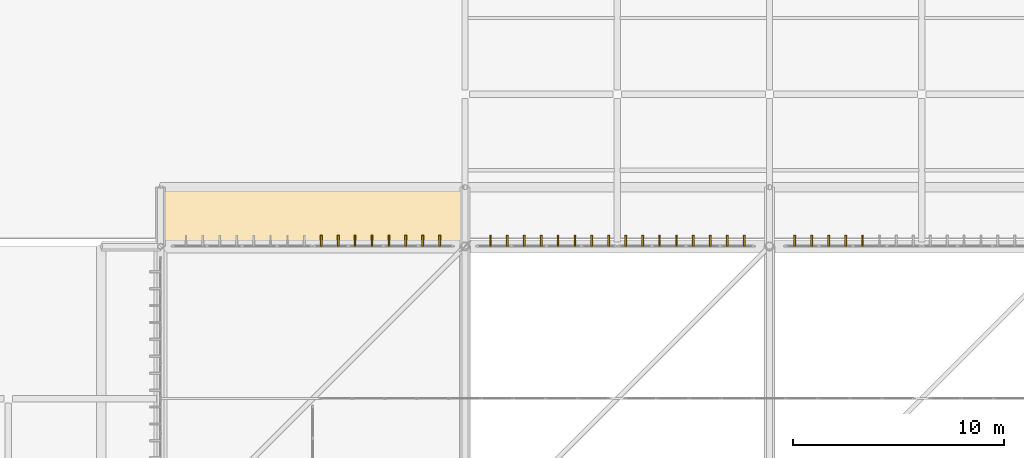
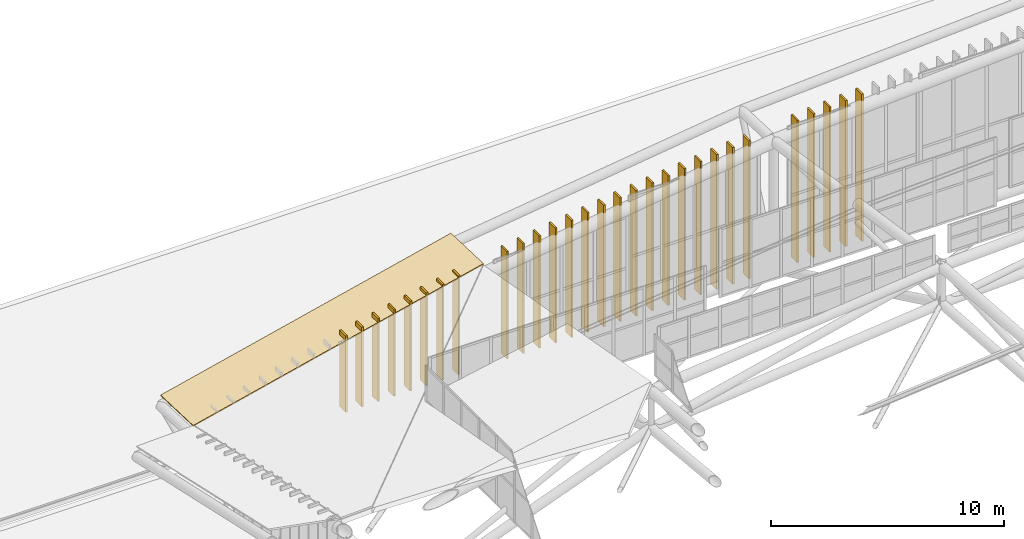
# One storey, part 393 of 397: 30 coverings.
"""IFC4 building model written with IfcOpenShell, lengths in metres."""

import ifcopenshell
import ifcopenshell.guid

model = None  # the IFC model being written
_history = None  # IfcOwnerHistory: only IFC2X3 demands one
_inside = {}  # id of a spatial element -> (the spatial element, [elements in it])
_under = {}  # id of a project, library or spatial element -> (it, [spatial elements below it])
_declared = {}  # id of a project -> (the project, [libraries it declares])
_typed = {}  # id of a type object -> (the type object, [elements of that type])
_made_of = {}  # id of a material, layer set ... -> (it, [elements and type objects made of it])


def new_model(schema):
    """Start an empty IFC model of exactly this schema.

    Asked for "IFC4X3", IfcOpenShell would pick the latest addendum, in which some entities
    have other attributes; the version numbers below select the first issue.
    IFC2X3 requires an IfcOwnerHistory on every rooted entity: one is made here for all.
    """
    global model, _history
    if schema == "IFC4X3":
        model = ifcopenshell.file(schema_version=(4, 3, 0, 0))
    else:
        model = ifcopenshell.file(schema=schema)
    _inside.clear()
    _under.clear()
    _declared.clear()
    _typed.clear()
    _made_of.clear()
    _history = None
    if model.schema == "IFC2X3":
        org = make("IfcOrganization", Name="unknown")
        user = make(
            "IfcPersonAndOrganization",
            ThePerson=make("IfcPerson", FamilyName="unknown"),
            TheOrganization=org,
        )
        app = make(
            "IfcApplication",
            ApplicationDeveloper=org,
            Version="unknown",
            ApplicationFullName="unknown",
            ApplicationIdentifier="unknown",
        )
        _history = make(
            "IfcOwnerHistory",
            OwningUser=user,
            OwningApplication=app,
            ChangeAction="ADDED",
            CreationDate=0,
        )
    return model


def make(cls, **values):
    """One entity of the class cls with the attributes given. An attribute that is None is left unset."""
    return model.create_entity(
        cls, **{name: value for name, value in values.items() if value is not None}
    )


def rooted(cls, **values):
    """An entity with a GlobalId (a new one), such as an element, a storey or a relation."""
    return make(cls, GlobalId=ifcopenshell.guid.new(), OwnerHistory=_history, **values)


def si_unit(unit_type, name, prefix=None):
    """IfcSIUnit, for example si_unit("LENGTHUNIT", "METRE", prefix="MILLI")."""
    return make("IfcSIUnit", UnitType=unit_type, Prefix=prefix, Name=name)


def assignment(units):
    """IfcUnitAssignment: the units of a project."""
    return None if units is None else make("IfcUnitAssignment", Units=units)


def point(xyz):
    """IfcCartesianPoint."""
    return None if xyz is None else make("IfcCartesianPoint", Coordinates=xyz)


def direction(xyz):
    """IfcDirection."""
    return None if xyz is None else make("IfcDirection", DirectionRatios=xyz)


def frame(location, z_axis=None, x_axis=None):
    """IfcAxis2Placement3D, a coordinate frame: its origin and axes. An axis left out is left unset."""
    return make(
        "IfcAxis2Placement3D",
        Location=point(location),
        Axis=direction(z_axis),
        RefDirection=direction(x_axis),
    )


def frame_2d(location, x_axis=None):
    """IfcAxis2Placement2D, a coordinate frame in the plane: its origin and x axis."""
    return make(
        "IfcAxis2Placement2D", Location=point(location), RefDirection=direction(x_axis)
    )


def origin():
    """The frame at (0, 0, 0) with its axes left unset."""
    return frame((0.0, 0.0, 0.0))


def origin_2d():
    """The frame at (0, 0) in the plane with its x axis left unset."""
    return frame_2d((0.0, 0.0))


def place(relative_to, where):
    """IfcLocalPlacement: puts the frame where relative to a parent placement (None: the world)."""
    return make(
        "IfcLocalPlacement", PlacementRelTo=relative_to, RelativePlacement=where
    )


def context(
    kind, dimensions, precision=None, world=None, true_north=None, identifier=None
):
    """IfcGeometricRepresentationContext, for example the 3D "Model" context."""
    return make(
        "IfcGeometricRepresentationContext",
        ContextIdentifier=identifier,
        ContextType=kind,
        CoordinateSpaceDimension=dimensions,
        Precision=precision,
        WorldCoordinateSystem=world,
        TrueNorth=true_north,
    )


def subcontext(parent, identifier, kind, view, scale=None):
    """IfcGeometricRepresentationSubContext, for example "Body" below "Model"."""
    return make(
        "IfcGeometricRepresentationSubContext",
        ContextIdentifier=identifier,
        ContextType=kind,
        ParentContext=parent,
        TargetScale=scale,
        TargetView=view,
    )


def project(units=None, contexts=None):
    """IfcProject with its units and contexts."""
    return rooted(
        "IfcProject",
        Name="project",
        RepresentationContexts=contexts,
        UnitsInContext=assignment(units),
    )


def spatial(cls, under=None, at=None, **own):
    """A site, building, storey or space (cls), placed at a placement, below another one or the project."""
    s = rooted(cls, ObjectPlacement=at, **own)
    if under is not None:
        _under.setdefault(under.id(), (under, []))[1].append(s)
    return s


def polyline(points):
    """IfcPolyline through the points."""
    return make("IfcPolyline", Points=[point(p) for p in points])


def profile(cls, at=None, kind="AREA", **sizes):
    """A parametric profile (cls). Its sizes go by their IFC names, for example OverallWidth=200.0."""
    return make(cls, ProfileType=kind, Position=at, **sizes)


def rectangle(**sizes):
    """IfcRectangleProfileDef."""
    return profile("IfcRectangleProfileDef", **sizes)


def outline(outer, holes=None, kind="AREA"):
    """IfcArbitraryClosedProfileDef: a profile drawn as a closed curve; with holes, ...WithVoids."""
    if holes is None:
        return make("IfcArbitraryClosedProfileDef", ProfileType=kind, OuterCurve=outer)
    return make(
        "IfcArbitraryProfileDefWithVoids",
        ProfileType=kind,
        OuterCurve=outer,
        InnerCurves=holes,
    )


def extrude(swept, where, along, depth):
    """IfcExtrudedAreaSolid: the profile swept, set in the frame where, extruded along a direction by depth."""
    return make(
        "IfcExtrudedAreaSolid",
        SweptArea=swept,
        Position=where,
        ExtrudedDirection=direction(along),
        Depth=depth,
    )


def shape(context_of_items, identifier, shape_type, items):
    """IfcShapeRepresentation: the items that make up one representation, for example the "Body"."""
    return make(
        "IfcShapeRepresentation",
        ContextOfItems=context_of_items,
        RepresentationIdentifier=identifier,
        RepresentationType=shape_type,
        Items=items,
    )


def material(Name=None, Category=None):
    """IfcMaterial."""
    return make("IfcMaterial", Name=Name, Category=Category)


def layer(
    of_material, thickness, ventilated=None, Name=None, Category=None, Priority=None
):
    """IfcMaterialLayer: one layer of a wall or slab, of a material (None: an air gap)."""
    return make(
        "IfcMaterialLayer",
        Material=of_material,
        LayerThickness=thickness,
        IsVentilated=ventilated,
        Name=Name,
        Category=Category,
        Priority=Priority,
    )


def layer_set(layers, Name=None):
    """IfcMaterialLayerSet."""
    return make("IfcMaterialLayerSet", MaterialLayers=layers, LayerSetName=Name)


def made_of(thing, what):
    """Note that an element or type object is made of a material, layer set ...; save() writes the relation."""
    if what is not None:
        _made_of.setdefault(what.id(), (what, []))[1].append(thing)
    return thing


def type_object(cls, material=None, **own):
    """A type object (cls), such as IfcWallType, which elements share."""
    return made_of(rooted(cls, **own), material)


def element(
    cls,
    number,
    at=None,
    inside=None,
    cuts=None,
    type_object=None,
    material=None,
    context=None,
    identifier="Body",
    shape_type=None,
    held_by="IfcProductDefinitionShape",
    body=None,
    shapes=None,
    **own,
):
    """One element of the class cls, such as IfcWall. Its Tag is "e" and its number.

    at: its placement. inside: the storey or other place that contains it. cuts: it is an
    opening in that element (IfcRelVoidsElement). A single representation is given by context,
    identifier, shape_type and body (its items); several are given by shapes. held_by: the class
    of the entity that holds the representations. save() writes the other relations.
    """
    e = rooted(cls, Tag="e%d" % number, ObjectPlacement=at, **own)
    if body is not None:
        shapes = [shape(context, identifier, shape_type, body)]
    if shapes is not None:
        e.Representation = make(held_by, Representations=shapes)
    if inside is not None:
        _inside.setdefault(inside.id(), (inside, []))[1].append(e)
    if cuts is not None:
        rooted(
            "IfcRelVoidsElement", RelatingBuildingElement=cuts, RelatedOpeningElement=e
        )
    if type_object is not None:
        _typed.setdefault(type_object.id(), (type_object, []))[1].append(e)
    return made_of(e, material)


def aggregate(whole, parts):
    """IfcRelAggregates: a whole, such as a stair, and the parts it consists of."""
    return rooted("IfcRelAggregates", RelatingObject=whole, RelatedObjects=parts)


def save(model, path):
    """Write the relations noted so far, then the file.

    IfcRelAggregates (storeys below a building ...), IfcRelContainedInSpatialStructure (elements
    in a storey), IfcRelDefinesByType, IfcRelAssociatesMaterial and IfcRelDeclares: one each for
    every whole, place, type object, material and project.
    """
    for whole, parts in _under.values():
        aggregate(whole, parts)
    for where, things in _inside.values():
        rooted(
            "IfcRelContainedInSpatialStructure",
            RelatedElements=things,
            RelatingStructure=where,
        )
    for kind, things in _typed.values():
        rooted("IfcRelDefinesByType", RelatedObjects=things, RelatingType=kind)
    for what, things in _made_of.values():
        rooted("IfcRelAssociatesMaterial", RelatedObjects=things, RelatingMaterial=what)
    for by, libraries in _declared.values():
        rooted("IfcRelDeclares", RelatingContext=by, RelatedDefinitions=libraries)
    model.write(path)


model = new_model("IFC4")

# Units and contexts
model_context = context("Model", 3, precision=1e-05, world=origin(), true_north=direction((0.0, 1.0)))
body_context = subcontext(model_context, "Body", "Model", "MODEL_VIEW")
ifc_project = project(units=[si_unit("LENGTHUNIT", "METRE"), si_unit("AREAUNIT", "SQUARE_METRE"), si_unit("VOLUMEUNIT", "CUBIC_METRE"), si_unit("PLANEANGLEUNIT", "RADIAN"), si_unit("MASSUNIT", "GRAM", prefix="KILO")], contexts=[model_context])

# Site, building, storey
site_placement = place(None, origin())
site = spatial("IfcSite", under=ifc_project, at=site_placement, CompositionType="ELEMENT")
building_placement = place(site_placement, origin())
building = spatial("IfcBuilding", under=site, at=building_placement, Name="Qandorah Velis Arena", CompositionType="ELEMENT")
storey_placement = place(building_placement, frame((0.0, 0.0, 27.5)))
storey = spatial("IfcBuildingStorey", under=building, at=storey_placement, Name="RF", CompositionType="ELEMENT", Elevation=27.5)

# Coverings
ifc_material_1 = material(Name="Champagne-bronze anodized aluminium 6063-T6", Category="aluminium")
ifc_layer_1 = layer(ifc_material_1, 0.0849609375)
ifc_layer_set_1 = layer_set([ifc_layer_1], Name="Champagne-bronze anodized aluminium 6063-T6")
covering_type_1 = type_object("IfcCoveringType", Name="ARC-COV-FIN520", PredefinedType="CLADDING", material=ifc_layer_set_1)
covering_1_placement = place(storey_placement, frame((22.0, 115.455078125, -0.01025390625), z_axis=(0.0, 0.0, 1.0), x_axis=(1.0, 0.0, 0.0)))
element("IfcCovering", 1, at=covering_1_placement, inside=storey, type_object=covering_type_1, Name="Arched crown champagne-bronze solar fin 4.1.9", PredefinedType="CLADDING", context=body_context, shape_type="SweptSolid", body=[
    extrude(rectangle(XDim=0.0849609375, YDim=0.52001953125, at=origin_2d()), origin(), (0.0, 0.0, 1.0), 3.999755859375),
])
covering_2_placement = place(storey_placement, frame((22.800048828125, 115.455078125, -0.009765625), z_axis=(0.0, 0.0, 1.0), x_axis=(1.0, 0.0, 0.0)))
element("IfcCovering", 2, at=covering_2_placement, inside=storey, type_object=covering_type_1, Name="Arched crown champagne-bronze solar fin 4.1.10", PredefinedType="CLADDING", context=body_context, shape_type="SweptSolid", body=[
    extrude(rectangle(XDim=0.0849609375, YDim=0.52001953125, at=origin_2d()), origin(), (0.0, 0.0, 1.0), 4.184814453125),
])
covering_3_placement = place(storey_placement, frame((23.60009765625, 115.455078125, -0.010009765625), z_axis=(0.0, 0.0, 1.0), x_axis=(1.0, 0.0, 0.0)))
element("IfcCovering", 3, at=covering_3_placement, inside=storey, type_object=covering_type_1, Name="Arched crown champagne-bronze solar fin 4.1.11", PredefinedType="CLADDING", context=body_context, shape_type="SweptSolid", body=[
    extrude(rectangle(XDim=0.0849609375, YDim=0.52001953125, at=origin_2d()), origin(), (0.0, 0.0, 1.0), 4.36474609375),
])
covering_4_placement = place(storey_placement, frame((24.39990234375, 115.455078125, -0.010009765625), z_axis=(0.0, 0.0, 1.0), x_axis=(1.0, 0.0, 0.0)))
element("IfcCovering", 4, at=covering_4_placement, inside=storey, type_object=covering_type_1, Name="Arched crown champagne-bronze solar fin 4.1.12", PredefinedType="CLADDING", context=body_context, shape_type="SweptSolid", body=[
    extrude(rectangle(XDim=0.0849609375, YDim=0.52001953125, at=origin_2d()), origin(), (0.0, 0.0, 1.0), 4.53955078125),
])
covering_5_placement = place(storey_placement, frame((25.199951171875, 115.455078125, -0.010009765625), z_axis=(0.0, 0.0, 1.0), x_axis=(1.0, 0.0, 0.0)))
element("IfcCovering", 5, at=covering_5_placement, inside=storey, type_object=covering_type_1, Name="Arched crown champagne-bronze solar fin 4.1.13", PredefinedType="CLADDING", context=body_context, shape_type="SweptSolid", body=[
    extrude(rectangle(XDim=0.0849609375, YDim=0.52001953125, at=origin_2d()), origin(), (0.0, 0.0, 1.0), 4.708984375),
])
covering_6_placement = place(storey_placement, frame((26.0, 115.455078125, -0.009765625), z_axis=(0.0, 0.0, 1.0), x_axis=(1.0, 0.0, 0.0)))
element("IfcCovering", 6, at=covering_6_placement, inside=storey, type_object=covering_type_1, Name="Arched crown champagne-bronze solar fin 4.1.14", PredefinedType="CLADDING", context=body_context, shape_type="SweptSolid", body=[
    extrude(rectangle(XDim=0.0849609375, YDim=0.52001953125, at=origin_2d()), origin(), (0.0, 0.0, 1.0), 4.873779296875),
])
covering_7_placement = place(storey_placement, frame((26.800048828125, 115.455078125, -0.01025390625), z_axis=(0.0, 0.0, 1.0), x_axis=(1.0, 0.0, 0.0)))
element("IfcCovering", 7, at=covering_7_placement, inside=storey, type_object=covering_type_1, Name="Arched crown champagne-bronze solar fin 4.1.15", PredefinedType="CLADDING", context=body_context, shape_type="SweptSolid", body=[
    extrude(rectangle(XDim=0.0849609375, YDim=0.52001953125, at=origin_2d()), origin(), (0.0, 0.0, 1.0), 5.033447265625),
])
covering_8_placement = place(storey_placement, frame((27.60009765625, 115.455078125, -0.010009765625), z_axis=(0.0, 0.0, 1.0), x_axis=(1.0, 0.0, 0.0)))
element("IfcCovering", 8, at=covering_8_placement, inside=storey, type_object=covering_type_1, Name="Arched crown champagne-bronze solar fin 4.1.16", PredefinedType="CLADDING", context=body_context, shape_type="SweptSolid", body=[
    extrude(rectangle(XDim=0.0849609375, YDim=0.52001953125, at=origin_2d()), origin(), (0.0, 0.0, 1.0), 5.1884765625),
])
covering_9_placement = place(storey_placement, frame((30.0, 115.455078125, -0.010009765625), z_axis=(0.0, 0.0, 1.0), x_axis=(1.0, 0.0, 0.0)))
element("IfcCovering", 9, at=covering_9_placement, inside=storey, type_object=covering_type_1, Name="Arched crown champagne-bronze solar fin 4.2.1", PredefinedType="CLADDING", context=body_context, shape_type="SweptSolid", body=[
    extrude(rectangle(XDim=0.0849609375, YDim=0.52001953125, at=origin_2d()), origin(), (0.0, 0.0, 1.0), 5.625),
])
covering_10_placement = place(storey_placement, frame((30.800048828125, 115.455078125, -0.01025390625), z_axis=(0.0, 0.0, 1.0), x_axis=(1.0, 0.0, 0.0)))
element("IfcCovering", 10, at=covering_10_placement, inside=storey, type_object=covering_type_1, Name="Arched crown champagne-bronze solar fin 4.2.2", PredefinedType="CLADDING", context=body_context, shape_type="SweptSolid", body=[
    extrude(rectangle(XDim=0.0849609375, YDim=0.52001953125, at=origin_2d()), origin(), (0.0, 0.0, 1.0), 5.761474609375),
])
covering_11_placement = place(storey_placement, frame((31.60009765625, 115.455078125, -0.010009765625), z_axis=(0.0, 0.0, 1.0), x_axis=(1.0, 0.0, 0.0)))
element("IfcCovering", 11, at=covering_11_placement, inside=storey, type_object=covering_type_1, Name="Arched crown champagne-bronze solar fin 4.2.3", PredefinedType="CLADDING", context=body_context, shape_type="SweptSolid", body=[
    extrude(rectangle(XDim=0.0849609375, YDim=0.52001953125, at=origin_2d()), origin(), (0.0, 0.0, 1.0), 5.8935546875),
])
covering_12_placement = place(storey_placement, frame((32.39990234375, 115.455078125, -0.01025390625), z_axis=(0.0, 0.0, 1.0), x_axis=(1.0, 0.0, 0.0)))
element("IfcCovering", 12, at=covering_12_placement, inside=storey, type_object=covering_type_1, Name="Arched crown champagne-bronze solar fin 4.2.4", PredefinedType="CLADDING", context=body_context, shape_type="SweptSolid", body=[
    extrude(rectangle(XDim=0.0849609375, YDim=0.52001953125, at=origin_2d()), origin(), (0.0, 0.0, 1.0), 6.021240234375),
])
covering_13_placement = place(storey_placement, frame((33.199951171875, 115.455078125, -0.01025390625), z_axis=(0.0, 0.0, 1.0), x_axis=(1.0, 0.0, 0.0)))
element("IfcCovering", 13, at=covering_13_placement, inside=storey, type_object=covering_type_1, Name="Arched crown champagne-bronze solar fin 4.2.5", PredefinedType="CLADDING", context=body_context, shape_type="SweptSolid", body=[
    extrude(rectangle(XDim=0.0849609375, YDim=0.52001953125, at=origin_2d()), origin(), (0.0, 0.0, 1.0), 6.144775390625),
])
covering_14_placement = place(storey_placement, frame((34.0, 115.455078125, -0.01025390625), z_axis=(0.0, 0.0, 1.0), x_axis=(1.0, 0.0, 0.0)))
element("IfcCovering", 14, at=covering_14_placement, inside=storey, type_object=covering_type_1, Name="Arched crown champagne-bronze solar fin 4.2.6", PredefinedType="CLADDING", context=body_context, shape_type="SweptSolid", body=[
    extrude(rectangle(XDim=0.0849609375, YDim=0.52001953125, at=origin_2d()), origin(), (0.0, 0.0, 1.0), 6.263916015625),
])
covering_15_placement = place(storey_placement, frame((34.800048828125, 115.455078125, -0.01025390625), z_axis=(0.0, 0.0, 1.0), x_axis=(1.0, 0.0, 0.0)))
element("IfcCovering", 15, at=covering_15_placement, inside=storey, type_object=covering_type_1, Name="Arched crown champagne-bronze solar fin 4.2.7", PredefinedType="CLADDING", context=body_context, shape_type="SweptSolid", body=[
    extrude(rectangle(XDim=0.0849609375, YDim=0.52001953125, at=origin_2d()), origin(), (0.0, 0.0, 1.0), 6.379150390625),
])
covering_16_placement = place(storey_placement, frame((35.60009765625, 115.455078125, -0.010009765625), z_axis=(0.0, 0.0, 1.0), x_axis=(1.0, 0.0, 0.0)))
element("IfcCovering", 16, at=covering_16_placement, inside=storey, type_object=covering_type_1, Name="Arched crown champagne-bronze solar fin 4.2.8", PredefinedType="CLADDING", context=body_context, shape_type="SweptSolid", body=[
    extrude(rectangle(XDim=0.0849609375, YDim=0.52001953125, at=origin_2d()), origin(), (0.0, 0.0, 1.0), 6.490234375),
])
covering_17_placement = place(storey_placement, frame((36.39990234375, 115.455078125, -0.009765625), z_axis=(0.0, 0.0, 1.0), x_axis=(1.0, 0.0, 0.0)))
element("IfcCovering", 17, at=covering_17_placement, inside=storey, type_object=covering_type_1, Name="Arched crown champagne-bronze solar fin 4.2.9", PredefinedType="CLADDING", context=body_context, shape_type="SweptSolid", body=[
    extrude(rectangle(XDim=0.0849609375, YDim=0.52001953125, at=origin_2d()), origin(), (0.0, 0.0, 1.0), 6.597412109375),
])
covering_18_placement = place(storey_placement, frame((37.199951171875, 115.455078125, -0.010009765625), z_axis=(0.0, 0.0, 1.0), x_axis=(1.0, 0.0, 0.0)))
element("IfcCovering", 18, at=covering_18_placement, inside=storey, type_object=covering_type_1, Name="Arched crown champagne-bronze solar fin 4.2.10", PredefinedType="CLADDING", context=body_context, shape_type="SweptSolid", body=[
    extrude(rectangle(XDim=0.0849609375, YDim=0.52001953125, at=origin_2d()), origin(), (0.0, 0.0, 1.0), 6.70068359375),
])
covering_19_placement = place(storey_placement, frame((38.0, 115.455078125, -0.010009765625), z_axis=(0.0, 0.0, 1.0), x_axis=(1.0, 0.0, 0.0)))
element("IfcCovering", 19, at=covering_19_placement, inside=storey, type_object=covering_type_1, Name="Arched crown champagne-bronze solar fin 4.2.11", PredefinedType="CLADDING", context=body_context, shape_type="SweptSolid", body=[
    extrude(rectangle(XDim=0.0849609375, YDim=0.52001953125, at=origin_2d()), origin(), (0.0, 0.0, 1.0), 6.80029296875),
])
covering_20_placement = place(storey_placement, frame((38.800048828125, 115.455078125, -0.010009765625), z_axis=(0.0, 0.0, 1.0), x_axis=(1.0, 0.0, 0.0)))
element("IfcCovering", 20, at=covering_20_placement, inside=storey, type_object=covering_type_1, Name="Arched crown champagne-bronze solar fin 4.2.12", PredefinedType="CLADDING", context=body_context, shape_type="SweptSolid", body=[
    extrude(rectangle(XDim=0.0849609375, YDim=0.52001953125, at=origin_2d()), origin(), (0.0, 0.0, 1.0), 6.89599609375),
])
covering_21_placement = place(storey_placement, frame((39.60009765625, 115.455078125, -0.010009765625), z_axis=(0.0, 0.0, 1.0), x_axis=(1.0, 0.0, 0.0)))
element("IfcCovering", 21, at=covering_21_placement, inside=storey, type_object=covering_type_1, Name="Arched crown champagne-bronze solar fin 4.2.13", PredefinedType="CLADDING", context=body_context, shape_type="SweptSolid", body=[
    extrude(rectangle(XDim=0.0849609375, YDim=0.52001953125, at=origin_2d()), origin(), (0.0, 0.0, 1.0), 6.98828125),
])
covering_22_placement = place(storey_placement, frame((40.39990234375, 115.455078125, -0.01025390625), z_axis=(0.0, 0.0, 1.0), x_axis=(1.0, 0.0, 0.0)))
element("IfcCovering", 22, at=covering_22_placement, inside=storey, type_object=covering_type_1, Name="Arched crown champagne-bronze solar fin 4.2.14", PredefinedType="CLADDING", context=body_context, shape_type="SweptSolid", body=[
    extrude(rectangle(XDim=0.0849609375, YDim=0.52001953125, at=origin_2d()), origin(), (0.0, 0.0, 1.0), 7.076904296875),
])
covering_23_placement = place(storey_placement, frame((41.199951171875, 115.455078125, -0.01025390625), z_axis=(0.0, 0.0, 1.0), x_axis=(1.0, 0.0, 0.0)))
element("IfcCovering", 23, at=covering_23_placement, inside=storey, type_object=covering_type_1, Name="Arched crown champagne-bronze solar fin 4.2.15", PredefinedType="CLADDING", context=body_context, shape_type="SweptSolid", body=[
    extrude(rectangle(XDim=0.0849609375, YDim=0.52001953125, at=origin_2d()), origin(), (0.0, 0.0, 1.0), 7.161865234375),
])
covering_24_placement = place(storey_placement, frame((42.0, 115.455078125, -0.01025390625), z_axis=(0.0, 0.0, 1.0), x_axis=(1.0, 0.0, 0.0)))
element("IfcCovering", 24, at=covering_24_placement, inside=storey, type_object=covering_type_1, Name="Arched crown champagne-bronze solar fin 4.2.16", PredefinedType="CLADDING", context=body_context, shape_type="SweptSolid", body=[
    extrude(rectangle(XDim=0.0849609375, YDim=0.52001953125, at=origin_2d()), origin(), (0.0, 0.0, 1.0), 7.243408203125),
])
covering_25_placement = place(storey_placement, frame((44.39990234375, 115.455078125, -0.010009765625), z_axis=(0.0, 0.0, 1.0), x_axis=(1.0, 0.0, 0.0)))
element("IfcCovering", 25, at=covering_25_placement, inside=storey, type_object=covering_type_1, Name="Arched crown champagne-bronze solar fin 4.3.1", PredefinedType="CLADDING", context=body_context, shape_type="SweptSolid", body=[
    extrude(rectangle(XDim=0.0849609375, YDim=0.52001953125, at=origin_2d()), origin(), (0.0, 0.0, 1.0), 7.4677734375),
])
covering_26_placement = place(storey_placement, frame((45.199951171875, 115.455078125, -0.01025390625), z_axis=(0.0, 0.0, 1.0), x_axis=(1.0, 0.0, 0.0)))
element("IfcCovering", 26, at=covering_26_placement, inside=storey, type_object=covering_type_1, Name="Arched crown champagne-bronze solar fin 4.3.2", PredefinedType="CLADDING", context=body_context, shape_type="SweptSolid", body=[
    extrude(rectangle(XDim=0.0849609375, YDim=0.52001953125, at=origin_2d()), origin(), (0.0, 0.0, 1.0), 7.535888671875),
])
covering_27_placement = place(storey_placement, frame((46.0, 115.455078125, -0.01025390625), z_axis=(0.0, 0.0, 1.0), x_axis=(1.0, 0.0, 0.0)))
element("IfcCovering", 27, at=covering_27_placement, inside=storey, type_object=covering_type_1, Name="Arched crown champagne-bronze solar fin 4.3.3", PredefinedType="CLADDING", context=body_context, shape_type="SweptSolid", body=[
    extrude(rectangle(XDim=0.0849609375, YDim=0.52001953125, at=origin_2d()), origin(), (0.0, 0.0, 1.0), 7.600830078125),
])
covering_28_placement = place(storey_placement, frame((46.800048828125, 115.455078125, -0.01025390625), z_axis=(0.0, 0.0, 1.0), x_axis=(1.0, 0.0, 0.0)))
element("IfcCovering", 28, at=covering_28_placement, inside=storey, type_object=covering_type_1, Name="Arched crown champagne-bronze solar fin 4.3.4", PredefinedType="CLADDING", context=body_context, shape_type="SweptSolid", body=[
    extrude(rectangle(XDim=0.0849609375, YDim=0.52001953125, at=origin_2d()), origin(), (0.0, 0.0, 1.0), 7.662841796875),
])
covering_29_placement = place(storey_placement, frame((47.60009765625, 115.455078125, -0.010009765625), z_axis=(0.0, 0.0, 1.0), x_axis=(1.0, 0.0, 0.0)))
element("IfcCovering", 29, at=covering_29_placement, inside=storey, type_object=covering_type_1, Name="Arched crown champagne-bronze solar fin 4.3.5", PredefinedType="CLADDING", context=body_context, shape_type="SweptSolid", body=[
    extrude(rectangle(XDim=0.0849609375, YDim=0.52001953125, at=origin_2d()), origin(), (0.0, 0.0, 1.0), 7.7216796875),
])
ifc_material_2 = material(Name="Insulated high-albedo standing-seam aluminium roofing", Category="aluminium")
ifc_layer_2 = layer(ifc_material_2, 0.080078125)
ifc_layer_set_2 = layer_set([ifc_layer_2], Name="Insulated high-albedo standing-seam aluminium roofing")
covering_type_2 = type_object("IfcCoveringType", Name="ARC-COV-ROOF", PredefinedType="ROOFING", material=ifc_layer_set_2)
covering_30_placement = place(storey_placement, frame((14.39990234375, 115.199951171875, 1.949951171875), z_axis=(-0.232969132143, 0.034658064095, 0.971866349897), x_axis=(0.97245057016, 0.0, 0.233109177415)))
element("IfcCovering", 30, at=covering_30_placement, inside=storey, type_object=covering_type_2, Name="Overhanging arena eave roof panel N-1", PredefinedType="ROOFING", context=body_context, shape_type="SweptSolid", body=[
    extrude(outline(polyline([(0.0, 0.0), (14.808101230280736, 0.0), (14.784824459391354, 2.8017320279433973), (-0.02327677088938147, 2.8017320279433973), (0.0, 0.0)])), origin(), (0.0, 0.0, -1.0), 0.06005859375),
])

save(model, "model.ifc")
